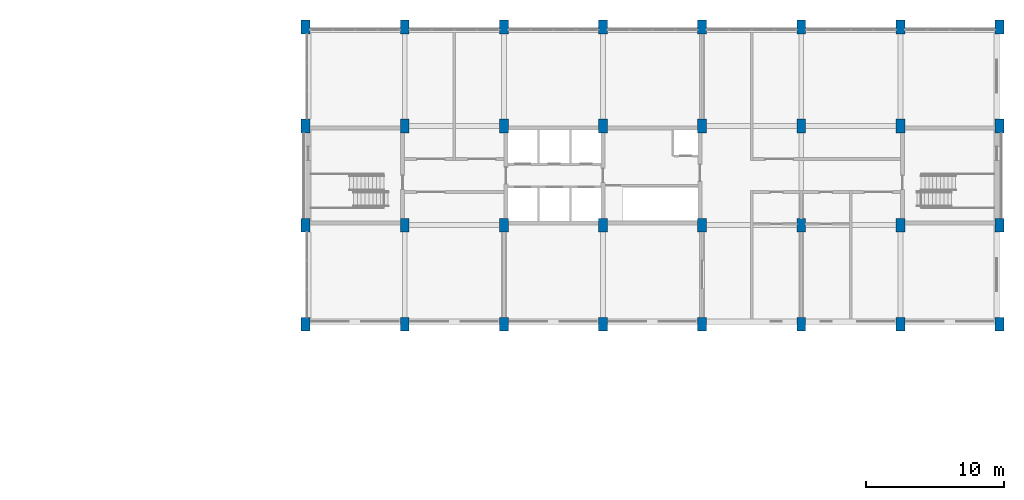
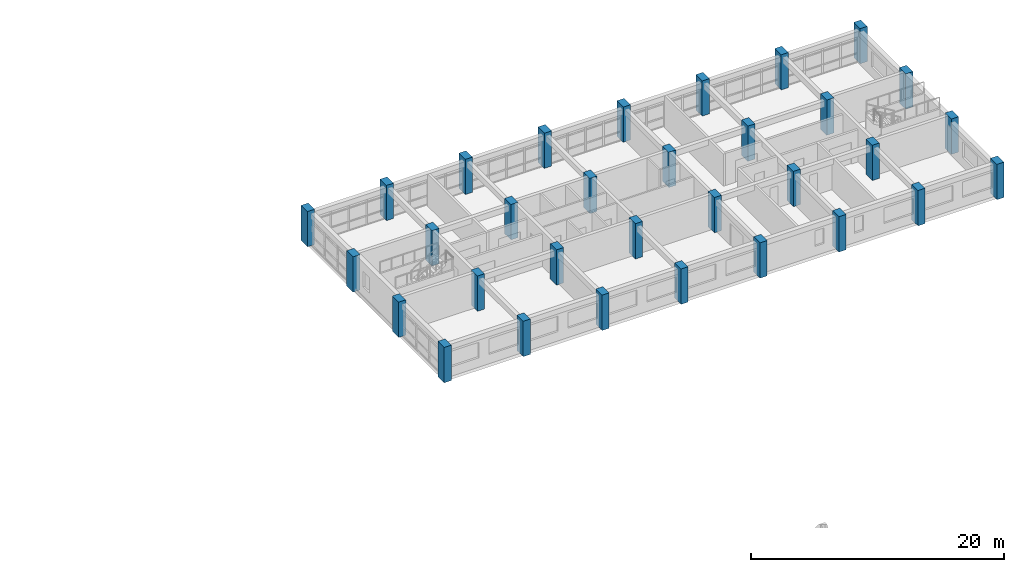
# One storey, part 1 of 19: 32 columns.
"""IFC4 building model written with IfcOpenShell, lengths in metres."""

from ifc_helpers import new_model, si_unit, direction, frame, origin, origin_2d, place, context, subcontext, project, spatial, rectangle, extrude, material, material_profile, profile_set, type_object, element, save


model = new_model("IFC4")

# Units and contexts
model_context = context("Model", 3, precision=1e-05, world=origin(), true_north=direction((0.0, 1.0)))
body_context = subcontext(model_context, "Body", "Model", "MODEL_VIEW")
ifc_project = project(units=[si_unit("LENGTHUNIT", "METRE"), si_unit("AREAUNIT", "SQUARE_METRE"), si_unit("VOLUMEUNIT", "CUBIC_METRE"), si_unit("PLANEANGLEUNIT", "RADIAN"), si_unit("MASSUNIT", "GRAM", prefix="KILO")], contexts=[model_context])

# Site, building, storey
site_placement = place(None, origin())
site = spatial("IfcSite", under=ifc_project, at=site_placement, CompositionType="ELEMENT")
building_placement = place(site_placement, origin())
building = spatial("IfcBuilding", under=site, at=building_placement, Name="Vermilion Court Aquatics Centre", CompositionType="ELEMENT")
storey_placement = place(building_placement, frame((0.0, 0.0, 19.89990234375)))
storey = spatial("IfcBuildingStorey", under=building, at=storey_placement, Name="L04", CompositionType="ELEMENT", Elevation=19.89990234375)

# Columns
ifc_material_1 = material(Name="Concrete 8000 psi", Category="concrete")
ifc_material_profile_1 = material_profile(ifc_material_1, rectangle(XDim=0.64990234375, YDim=1.0, at=origin_2d()), Name="RC 650x1000")
ifc_profile_set_1 = profile_set([ifc_material_profile_1], Name="Concrete 8000 psi")
column_type_1 = type_object("IfcColumnType", Name="North block inner column 650x1000", PredefinedType="COLUMN", material=ifc_profile_set_1)
for number, where, z_axis, x_axis, name in (
    (1, (151.199951171875, 100.800048828125, 0.0), (0.0, 0.0, 1.0), (1.0, 0.0, 0.0), "Column 22Q L04"),
    (2, (151.199951171875, 108.0, 0.0), (0.0, 0.0, 1.0), (1.0, 0.0, 0.0), "Column 22R L04"),
    (3, (158.39990234375, 100.800048828125, 0.0), (0.0, 0.0, 1.0), (1.0, 0.0, 0.0), "Column 23Q L04"),
    (4, (158.39990234375, 108.0, 0.0), (0.0, 0.0, 1.0), (1.0, 0.0, 0.0), "Column 23R L04"),
    (5, (165.60009765625, 100.800048828125, 0.0), (0.0, 0.0, 1.0), (1.0, 0.0, 0.0), "Column 24Q L04"),
    (6, (165.60009765625, 108.0, 0.0), (0.0, 0.0, 1.0), (1.0, 0.0, 0.0), "Column 24R L04"),
    (7, (172.800048828125, 100.800048828125, 0.0), (0.0, 0.0, 1.0), (1.0, 0.0, 0.0), "Column 25Q L04"),
    (8, (172.800048828125, 108.0, 0.0), (0.0, 0.0, 1.0), (1.0, 0.0, 0.0), "Column 25R L04"),
    (9, (180.0, 100.800048828125, 0.0), (0.0, 0.0, 1.0), (1.0, 0.0, 0.0), "Column 26Q L04"),
    (10, (180.0, 108.0, 0.0), (0.0, 0.0, 1.0), (1.0, 0.0, 0.0), "Column 26R L04"),
    (11, (187.199951171875, 100.800048828125, 0.0), (0.0, 0.0, 1.0), (1.0, 0.0, 0.0), "Column 27Q L04"),
    (12, (187.199951171875, 108.0, 0.0), (0.0, 0.0, 1.0), (1.0, 0.0, 0.0), "Column 27R L04"),
):
    element("IfcColumn", number, at=place(storey_placement, frame(where, z_axis=z_axis, x_axis=x_axis)), inside=storey, type_object=column_type_1, Name=name, PredefinedType="COLUMN", context=body_context, shape_type="SweptSolid", body=[
        extrude(rectangle(XDim=0.64990234375, YDim=1.0, at=origin_2d()), origin(), (0.0, 0.0, 1.0), 3.400146484375),
    ])
ifc_material_2 = material(Name="Concrete 6000 psi", Category="concrete")
ifc_material_profile_2 = material_profile(ifc_material_2, rectangle(XDim=0.64990234375, YDim=1.0, at=origin_2d()), Name="RC 650x1000")
ifc_profile_set_2 = profile_set([ifc_material_profile_2], Name="Concrete 6000 psi")
column_type_2 = type_object("IfcColumnType", Name="North block perimeter column 650x1000", PredefinedType="COLUMN", material=ifc_profile_set_2)
for number, where, z_axis, x_axis, name in (
    (13, (144.0, 93.60009765625, 0.0), (0.0, 0.0, 1.0), (1.0, 0.0, 0.0), "Column 21P L04"),
    (14, (144.0, 100.800048828125, 0.0), (0.0, 0.0, 1.0), (1.0, 0.0, 0.0), "Column 21Q L04"),
    (15, (144.0, 108.0, 0.0), (0.0, 0.0, 1.0), (1.0, 0.0, 0.0), "Column 21R L04"),
    (16, (144.0, 115.199951171875, 0.0), (0.0, 0.0, 1.0), (1.0, 0.0, 0.0), "Column 21S L04"),
    (17, (151.199951171875, 93.60009765625, 0.0), (0.0, 0.0, 1.0), (1.0, 0.0, 0.0), "Column 22P L04"),
    (18, (151.199951171875, 115.199951171875, 0.0), (0.0, 0.0, 1.0), (1.0, 0.0, 0.0), "Column 22S L04"),
    (19, (158.39990234375, 93.60009765625, 0.0), (0.0, 0.0, 1.0), (1.0, 0.0, 0.0), "Column 23P L04"),
    (20, (158.39990234375, 115.199951171875, 0.0), (0.0, 0.0, 1.0), (1.0, 0.0, 0.0), "Column 23S L04"),
    (21, (165.60009765625, 93.60009765625, 0.0), (0.0, 0.0, 1.0), (1.0, 0.0, 0.0), "Column 24P L04"),
    (22, (165.60009765625, 115.199951171875, 0.0), (0.0, 0.0, 1.0), (1.0, 0.0, 0.0), "Column 24S L04"),
    (23, (172.800048828125, 93.60009765625, 0.0), (0.0, 0.0, 1.0), (1.0, 0.0, 0.0), "Column 25P L04"),
    (24, (172.800048828125, 115.199951171875, 0.0), (0.0, 0.0, 1.0), (1.0, 0.0, 0.0), "Column 25S L04"),
    (25, (180.0, 93.60009765625, 0.0), (0.0, 0.0, 1.0), (1.0, 0.0, 0.0), "Column 26P L04"),
    (26, (180.0, 115.199951171875, 0.0), (0.0, 0.0, 1.0), (1.0, 0.0, 0.0), "Column 26S L04"),
    (27, (187.199951171875, 93.60009765625, 0.0), (0.0, 0.0, 1.0), (1.0, 0.0, 0.0), "Column 27P L04"),
    (28, (187.199951171875, 115.199951171875, 0.0), (0.0, 0.0, 1.0), (1.0, 0.0, 0.0), "Column 27S L04"),
    (29, (194.39990234375, 93.60009765625, 0.0), (0.0, 0.0, 1.0), (1.0, 0.0, 0.0), "Column 28P L04"),
    (30, (194.39990234375, 100.800048828125, 0.0), (0.0, 0.0, 1.0), (1.0, 0.0, 0.0), "Column 28Q L04"),
    (31, (194.39990234375, 108.0, 0.0), (0.0, 0.0, 1.0), (1.0, 0.0, 0.0), "Column 28R L04"),
    (32, (194.39990234375, 115.199951171875, 0.0), (0.0, 0.0, 1.0), (1.0, 0.0, 0.0), "Column 28S L04"),
):
    element("IfcColumn", number, at=place(storey_placement, frame(where, z_axis=z_axis, x_axis=x_axis)), inside=storey, type_object=column_type_2, Name=name, PredefinedType="COLUMN", context=body_context, shape_type="SweptSolid", body=[
        extrude(rectangle(XDim=0.64990234375, YDim=1.0, at=origin_2d()), origin(), (0.0, 0.0, 1.0), 3.400146484375),
    ])

save(model, "model.ifc")
